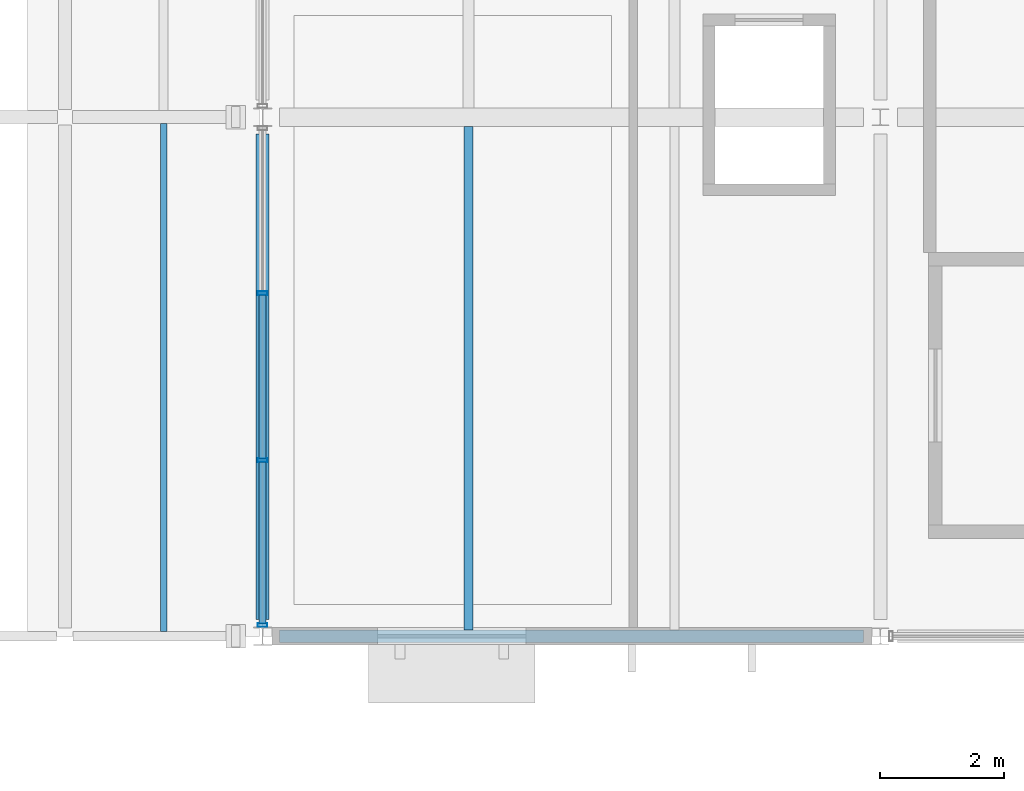
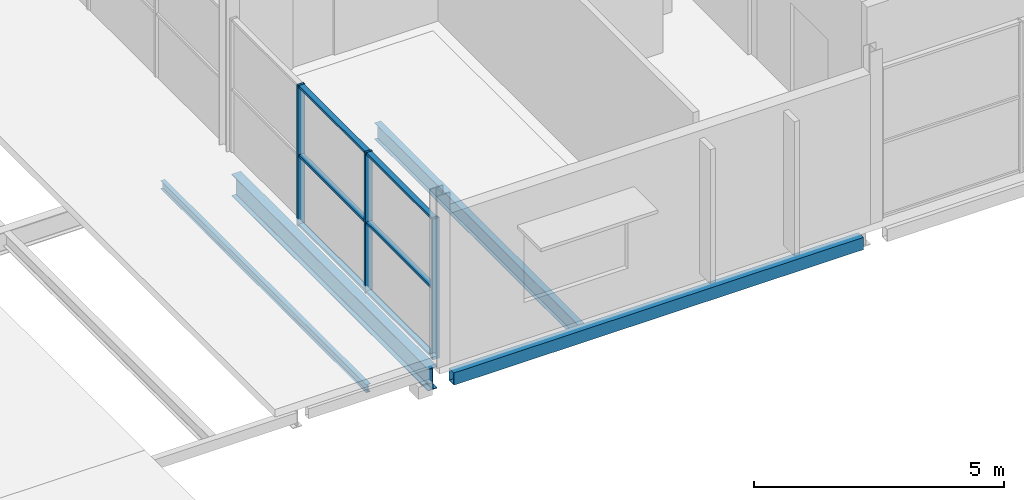
# One storey, part 90 of 161: 9 members, 4 beams, 1 element without a shape of its own.
"""IFC4 building model written with IfcOpenShell, lengths in metres."""

from ifc_helpers import new_model, si_unit, direction, frame, origin, origin_2d, place, context, subcontext, project, spatial, hollow_rectangle, i_section, extrude, material, material_profile, profile_set, type_object, element, aggregate, save


model = new_model("IFC4")

# Units and contexts
model_context = context("Model", 3, precision=1e-05, world=origin(), true_north=direction((0.0, 1.0)))
body_context = subcontext(model_context, "Body", "Model", "MODEL_VIEW")
ifc_project = project(units=[si_unit("LENGTHUNIT", "METRE"), si_unit("AREAUNIT", "SQUARE_METRE"), si_unit("VOLUMEUNIT", "CUBIC_METRE"), si_unit("PLANEANGLEUNIT", "RADIAN"), si_unit("MASSUNIT", "GRAM", prefix="KILO"), si_unit("THERMODYNAMICTEMPERATUREUNIT", "KELVIN")], contexts=[model_context])

# Site, building, storey
site_placement = place(None, origin())
site = spatial("IfcSite", under=ifc_project, at=site_placement, CompositionType="ELEMENT")
building_placement = place(site_placement, origin())
building = spatial("IfcBuilding", under=site, at=building_placement, Name="Nduvali Passage Aquatics Centre", CompositionType="ELEMENT")
storey_placement = place(building_placement, frame((0.0, 0.0, 4.800048828125)))
storey = spatial("IfcBuildingStorey", under=building, at=storey_placement, Name="L01", CompositionType="ELEMENT", Elevation=4.800048828125)

# Curtain wall, members
ifc_material_1 = material(Name="Aluminium EN AW-6063 T6", Category="aluminium")
curtain_wall_type = type_object("IfcCurtainWallType", Name="ENV-CW-FOYR", PredefinedType="NOTDEFINED", material=ifc_material_1)
curtain_wall_placement = place(storey_placement, origin())
curtain_wall = element("IfcCurtainWall", 1, at=curtain_wall_placement, inside=storey, type_object=curtain_wall_type, Name="L01 Passage Foyer End Upper CW 068", PredefinedType="NOTDEFINED")
ifc_material_profile_1 = material_profile(ifc_material_1, hollow_rectangle(XDim=0.06005859375, YDim=0.159912109375, WallThickness=0.00390625, at=origin_2d()), Name="ALU MULLION 60x160x4")
ifc_profile_set_1 = profile_set([ifc_material_profile_1], Name="Aluminium EN AW-6063 T6")
member_type_1 = type_object("IfcMemberType", Name="ENV-MEM-MUL60", PredefinedType="MULLION", material=ifc_profile_set_1)
member_1_placement = place(storey_placement, frame((138.0, 25.3798828125, 0.0), z_axis=(0.0, 0.0, 1.0), x_axis=(0.0, 1.0, 0.0)))
member_1 = element("IfcMember", 2, at=member_1_placement, type_object=member_type_1, Name="Passage Foyer End Upper CW Mullion 1", PredefinedType="MULLION", context=body_context, shape_type="SweptSolid", body=[
    extrude(hollow_rectangle(XDim=0.06005859375, YDim=0.159912109375, WallThickness=0.00390625, at=origin_2d()), origin(), (0.0, 0.0, 1.0), 3.436279296875),
])
member_2_placement = place(storey_placement, frame((138.0, 28.050048828125, 0.0), z_axis=(0.0, 0.0, 1.0), x_axis=(0.0, 1.0, 0.0)))
member_2 = element("IfcMember", 3, at=member_2_placement, type_object=member_type_1, Name="Passage Foyer End Upper CW Mullion 2", PredefinedType="MULLION", context=body_context, shape_type="SweptSolid", body=[
    extrude(hollow_rectangle(XDim=0.06005859375, YDim=0.159912109375, WallThickness=0.00390625, at=origin_2d()), origin(), (0.0, 0.0, 1.0), 3.436279296875),
])
member_3_placement = place(storey_placement, frame((138.0, 30.75, 0.0), z_axis=(0.0, 0.0, 1.0), x_axis=(0.0, 1.0, 0.0)))
member_3 = element("IfcMember", 4, at=member_3_placement, type_object=member_type_1, Name="Passage Foyer End Upper CW Mullion 3", PredefinedType="MULLION", context=body_context, shape_type="SweptSolid", body=[
    extrude(hollow_rectangle(XDim=0.06005859375, YDim=0.159912109375, WallThickness=0.00390625, at=origin_2d()), origin(), (0.0, 0.0, 1.0), 3.436279296875),
])
ifc_material_profile_2 = material_profile(ifc_material_1, hollow_rectangle(XDim=0.1201171875, YDim=0.06005859375, WallThickness=0.00390625, at=origin_2d()), Name="ALU TRANSOM 120x60x4")
ifc_profile_set_2 = profile_set([ifc_material_profile_2], Name="Aluminium EN AW-6063 T6")
member_type_2 = type_object("IfcMemberType", Name="ENV-MEM-TRN60", PredefinedType="USERDEFINED", material=ifc_profile_set_2)
member_4_placement = place(storey_placement, frame((138.0, 25.409912109375, 0.030029296875), z_axis=(0.0, 1.0, 0.0), x_axis=(-1.0, 0.0, 0.0)))
member_4 = element("IfcMember", 5, at=member_4_placement, type_object=member_type_2, Name="Passage Foyer End Upper CW Transom B1-R0", ObjectType="TRANSOM", PredefinedType="USERDEFINED", context=body_context, shape_type="SweptSolid", body=[
    extrude(hollow_rectangle(XDim=0.1201171875, YDim=0.06005859375, WallThickness=0.00390625, at=origin_2d()), origin(), (0.0, 0.0, 1.0), 2.610107421875),
])
member_5_placement = place(storey_placement, frame((138.0, 25.409912109375, 1.71826171875), z_axis=(0.0, 1.0, 0.0), x_axis=(-1.0, 0.0, 0.0)))
member_5 = element("IfcMember", 6, at=member_5_placement, type_object=member_type_2, Name="Passage Foyer End Upper CW Transom B1-R1", ObjectType="TRANSOM", PredefinedType="USERDEFINED", context=body_context, shape_type="SweptSolid", body=[
    extrude(hollow_rectangle(XDim=0.1201171875, YDim=0.06005859375, WallThickness=0.00390625, at=origin_2d()), origin(), (0.0, 0.0, 1.0), 2.610107421875),
])
member_6_placement = place(storey_placement, frame((138.0, 25.409912109375, 3.40625), z_axis=(0.0, 1.0, 0.0), x_axis=(-1.0, 0.0, 0.0)))
member_6 = element("IfcMember", 7, at=member_6_placement, type_object=member_type_2, Name="Passage Foyer End Upper CW Transom B1-R2", ObjectType="TRANSOM", PredefinedType="USERDEFINED", context=body_context, shape_type="SweptSolid", body=[
    extrude(hollow_rectangle(XDim=0.1201171875, YDim=0.06005859375, WallThickness=0.00390625, at=origin_2d()), origin(), (0.0, 0.0, 1.0), 2.610107421875),
])
member_7_placement = place(storey_placement, frame((138.0, 28.080078125, 0.030029296875), z_axis=(0.0, 1.0, 0.0), x_axis=(-1.0, 0.0, 0.0)))
member_7 = element("IfcMember", 8, at=member_7_placement, type_object=member_type_2, Name="Passage Foyer End Upper CW Transom B2-R0", ObjectType="TRANSOM", PredefinedType="USERDEFINED", context=body_context, shape_type="SweptSolid", body=[
    extrude(hollow_rectangle(XDim=0.1201171875, YDim=0.06005859375, WallThickness=0.00390625, at=origin_2d()), origin(), (0.0, 0.0, 1.0), 2.639892578125),
])
member_8_placement = place(storey_placement, frame((138.0, 28.080078125, 1.71826171875), z_axis=(0.0, 1.0, 0.0), x_axis=(-1.0, 0.0, 0.0)))
member_8 = element("IfcMember", 9, at=member_8_placement, type_object=member_type_2, Name="Passage Foyer End Upper CW Transom B2-R1", ObjectType="TRANSOM", PredefinedType="USERDEFINED", context=body_context, shape_type="SweptSolid", body=[
    extrude(hollow_rectangle(XDim=0.1201171875, YDim=0.06005859375, WallThickness=0.00390625, at=origin_2d()), origin(), (0.0, 0.0, 1.0), 2.639892578125),
])
member_9_placement = place(storey_placement, frame((138.0, 28.080078125, 3.40625), z_axis=(0.0, 1.0, 0.0), x_axis=(-1.0, 0.0, 0.0)))
member_9 = element("IfcMember", 10, at=member_9_placement, type_object=member_type_2, Name="Passage Foyer End Upper CW Transom B2-R2", ObjectType="TRANSOM", PredefinedType="USERDEFINED", context=body_context, shape_type="SweptSolid", body=[
    extrude(hollow_rectangle(XDim=0.1201171875, YDim=0.06005859375, WallThickness=0.00390625, at=origin_2d()), origin(), (0.0, 0.0, 1.0), 2.639892578125),
])
aggregate(curtain_wall, [member_1, member_2, member_3, member_4, member_5, member_6, member_7, member_8, member_9])

# Beams
ifc_material_2 = material(Name="Steel S355", Category="steel")
ifc_material_profile_3 = material_profile(ifc_material_2, i_section(OverallWidth=0.210693359375, OverallDepth=0.53955078125, WebThickness=0.01171875, FlangeThickness=0.018798828125, FilletRadius=0.0126953125, at=origin_2d()), Name="UKB 533x210x109")
ifc_profile_set_3 = profile_set([ifc_material_profile_3], Name="Steel S355")
beam_type_1 = type_object("IfcBeamType", Name="STR-BM-UKB533-EXT", PredefinedType="BEAM", material=ifc_profile_set_3)
beam_1_placement = place(storey_placement, frame((138.0, 25.47509765625, -0.553955078125), z_axis=(0.0, 1.0, 0.0), x_axis=(-1.0, 0.0, 0.0)))
element("IfcBeam", 11, at=beam_1_placement, inside=storey, type_object=beam_type_1, Name="L01 Primary Y-Girder B6E-0658", PredefinedType="BEAM", context=body_context, shape_type="SweptSolid", body=[
    extrude(i_section(OverallWidth=0.210693359375, OverallDepth=0.53955078125, WebThickness=0.01171875, FlangeThickness=0.018798828125, FilletRadius=0.0126953125, at=origin_2d()), origin(), (0.0, 0.0, 1.0), 7.849853515625),
])
ifc_material_profile_4 = material_profile(ifc_material_2, i_section(OverallWidth=0.10009765625, OverallDepth=0.199951171875, WebThickness=0.005615234375, FlangeThickness=0.008544921875, FilletRadius=0.011962890625, at=origin_2d()), Name="IPE 200")
ifc_profile_set_4 = profile_set([ifc_material_profile_4], Name="Steel S355")
beam_type_2 = type_object("IfcBeamType", Name="STR-JST-IPE200", PredefinedType="JOIST", material=ifc_profile_set_4)
beam_2_placement = place(storey_placement, frame((136.39990234375, 25.27490234375, -0.10400390625), z_axis=(0.0, 1.0, 0.0), x_axis=(-1.0, 0.0, 0.0)))
element("IfcBeam", 12, at=beam_2_placement, inside=storey, type_object=beam_type_2, Name="L01 Secondary Joist J9A-0743", PredefinedType="JOIST", context=body_context, shape_type="SweptSolid", body=[
    extrude(i_section(OverallWidth=0.10009765625, OverallDepth=0.199951171875, WebThickness=0.005615234375, FlangeThickness=0.008544921875, FilletRadius=0.011962890625, at=origin_2d()), origin(), (0.0, 0.0, 1.0), 8.2197265625),
])
ifc_material_profile_5 = material_profile(ifc_material_2, i_section(OverallWidth=0.14208984375, OverallDepth=0.4033203125, WebThickness=0.0068359375, FlangeThickness=0.01123046875, FilletRadius=0.01025390625, at=origin_2d()), Name="UKB 406x140x46")
ifc_profile_set_5 = profile_set([ifc_material_profile_5], Name="Steel S355")
beam_type_3 = type_object("IfcBeamType", Name="STR-JST-UKB406L", PredefinedType="JOIST", material=ifc_profile_set_5)
beam_3_placement = place(storey_placement, frame((141.333251953125, 25.300048828125, -0.485595703125), z_axis=(0.0, 1.0, 0.0), x_axis=(-1.0, 0.0, 0.0)))
element("IfcBeam", 13, at=beam_3_placement, inside=storey, type_object=beam_type_3, Name="L01 Secondary Joist J1B-0744", PredefinedType="JOIST", context=body_context, shape_type="SweptSolid", body=[
    extrude(i_section(OverallWidth=0.14208984375, OverallDepth=0.4033203125, WebThickness=0.0068359375, FlangeThickness=0.01123046875, FilletRadius=0.01025390625, at=origin_2d()), origin(), (0.0, 0.0, 1.0), 8.1474609375),
])
ifc_material_profile_6 = material_profile(ifc_material_2, hollow_rectangle(XDim=0.199951171875, YDim=0.300048828125, WallThickness=0.010009765625, at=origin_2d()), Name="RHS 300x200x10.0")
ifc_profile_set_6 = profile_set([ifc_material_profile_6], Name="Steel S355")
beam_type_4 = type_object("IfcBeamType", Name="STR-SPN-RHS300-EXT", PredefinedType="SPANDREL", material=ifc_profile_set_6)
beam_4_placement = place(storey_placement, frame((138.27490234375, 25.199951171875, -0.43408203125), z_axis=(1.0, 0.0, 0.0), x_axis=(0.0, 1.0, 0.0)))
element("IfcBeam", 14, at=beam_4_placement, inside=storey, type_object=beam_type_4, Name="L01 Primary X-Girder SP3E-0453", PredefinedType="SPANDREL", context=body_context, shape_type="SweptSolid", body=[
    extrude(hollow_rectangle(XDim=0.199951171875, YDim=0.300048828125, WallThickness=0.010009765625, at=origin_2d()), origin(), (0.0, 0.0, 1.0), 9.4501953125),
])

save(model, "model.ifc")
